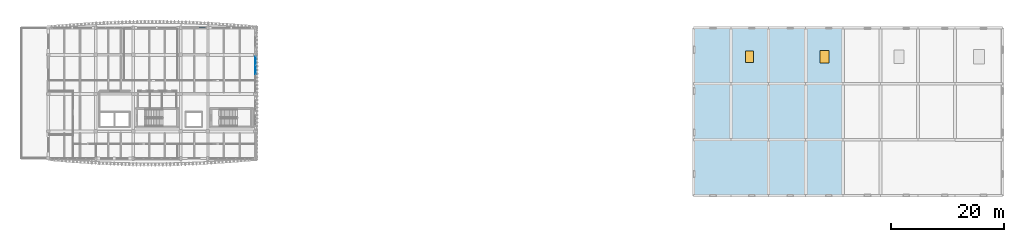
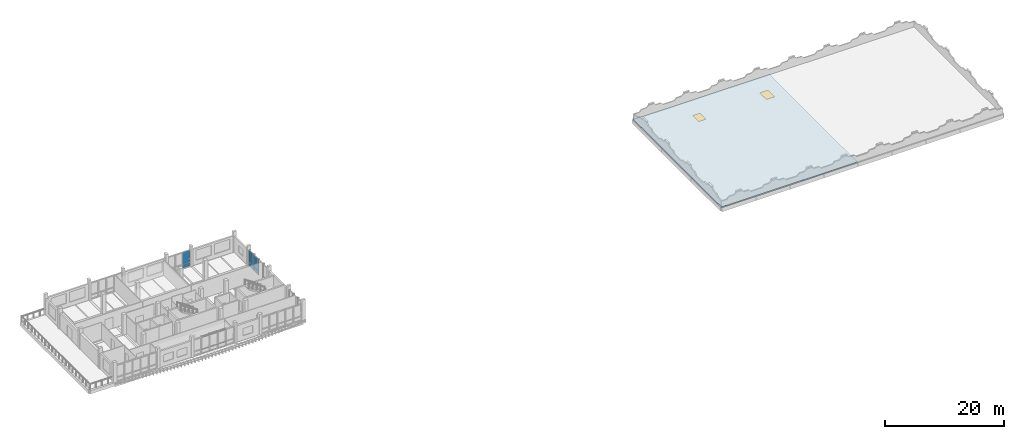
# One storey, part 8 of 20: 6 plates, 2 windows, 1 slab, 2 openings, 2 elements without a shape of their own.
"""IFC4 building model written with IfcOpenShell, lengths in metres."""

from ifc_helpers import new_model, si_unit, direction, frame, origin, origin_2d, place, context, subcontext, project, spatial, polyline, rectangle, outline, extrude, material, layer, layer_set, type_object, element, fill, aggregate, save


model = new_model("IFC4")

# Units and contexts
model_context = context("Model", 3, precision=1e-05, world=origin(), true_north=direction((0.0, 1.0)))
body_context = subcontext(model_context, "Body", "Model", "MODEL_VIEW")
ifc_project = project(units=[si_unit("LENGTHUNIT", "METRE"), si_unit("AREAUNIT", "SQUARE_METRE"), si_unit("VOLUMEUNIT", "CUBIC_METRE"), si_unit("PLANEANGLEUNIT", "RADIAN"), si_unit("MASSUNIT", "GRAM", prefix="KILO")], contexts=[model_context])

# Site, building, storey
site_placement = place(None, origin())
site = spatial("IfcSite", under=ifc_project, at=site_placement, CompositionType="ELEMENT")
building_placement = place(site_placement, origin())
building = spatial("IfcBuilding", under=site, at=building_placement, Name="Dornvale Research Institute", CompositionType="ELEMENT")
storey_placement = place(building_placement, frame((0.0, 0.0, 34.199951171875)))
storey = spatial("IfcBuildingStorey", under=building, at=storey_placement, Name="L07", CompositionType="ELEMENT", Elevation=34.199951171875)

# Curtain wall, plate
ifc_material_1 = material(Name="Low-E Argon Double Insulating Glazing Unit", Category="glass")
curtain_wall_type_1 = type_object("IfcCurtainWallType", Name="UnitisedCurtainWall_V5_4350x3350", PredefinedType="USERDEFINED", material=ifc_material_1)
curtain_wall_1_placement = place(storey_placement, origin())
curtain_wall_1 = element("IfcCurtainWall", 1, at=curtain_wall_1_placement, inside=storey, type_object=curtain_wall_type_1, Name="L07 V5 unitised curtain wall CW-35 #182", ObjectType="UNITISED CURTAIN WALL", PredefinedType="USERDEFINED")
ifc_material_2 = material(Name="Insulated Ceramic-Frit Spandrel Glass Panel", Category="glass")
ifc_layer_1 = layer(ifc_material_2, 0.0419921875)
ifc_layer_set_1 = layer_set([ifc_layer_1], Name="Insulated Ceramic-Frit Spandrel Glass Panel")
plate_type_1 = type_object("IfcPlateType", Name="CurtainPanel_Spandrel_42", PredefinedType="CURTAIN_PANEL", material=ifc_layer_set_1)
plate_1_placement = place(storey_placement, frame((32.03369140625, 122.10009765625, 0.065185546875), z_axis=(0.0, 0.0, 1.0), x_axis=(1.0, 0.0, 0.0)))
plate_1 = element("IfcPlate", 2, at=plate_1_placement, type_object=plate_type_1, Name="CW-35 panel 3.1", PredefinedType="CURTAIN_PANEL", context=body_context, shape_type="SweptSolid", body=[
    extrude(rectangle(XDim=1.3525390625, YDim=0.0419921875, at=origin_2d()), origin(), (0.0, 0.0, 1.0), 0.75244140625),
])

# Curtain wall, plates
ifc_material_3 = material(Name="Low-E Argon Double Insulating Glazing Unit", Category="glass")
curtain_wall_type_2 = type_object("IfcCurtainWallType", Name="UnitisedCurtainWall_V5_6450x3350", PredefinedType="USERDEFINED", material=ifc_material_3)
curtain_wall_2_placement = place(storey_placement, origin())
curtain_wall_2 = element("IfcCurtainWall", 3, at=curtain_wall_2_placement, inside=storey, type_object=curtain_wall_type_2, Name="L07 V5 unitised curtain wall CW-36 #183", ObjectType="UNITISED CURTAIN WALL", PredefinedType="USERDEFINED")
plate_2_placement = place(storey_placement, frame((41.39990234375, 116.25244140625, 0.065185546875), z_axis=(0.0, 0.0, 1.0), x_axis=(0.0, -1.0, 0.0)))
plate_2 = element("IfcPlate", 4, at=plate_2_placement, type_object=plate_type_1, Name="CW-36 panel 1.1", PredefinedType="CURTAIN_PANEL", context=body_context, shape_type="SweptSolid", body=[
    extrude(rectangle(XDim=1.514892578125, YDim=0.0419921875, at=origin_2d()), origin(), (0.0, 0.0, 1.0), 0.75244140625),
])
plate_3_placement = place(storey_placement, frame((41.39990234375, 114.65625, 0.065185546875), z_axis=(0.0, 0.0, 1.0), x_axis=(0.0, -1.0, 0.0)))
plate_3 = element("IfcPlate", 5, at=plate_3_placement, type_object=plate_type_1, Name="CW-36 panel 2.1", PredefinedType="CURTAIN_PANEL", context=body_context, shape_type="SweptSolid", body=[
    extrude(rectangle(XDim=1.547607421875, YDim=0.0419921875, at=origin_2d()), origin(), (0.0, 0.0, 1.0), 0.75244140625),
])

# Plate
ifc_material_4 = material(Name="Low-E Argon Double Insulating Glazing Unit", Category="glass")
ifc_layer_2 = layer(ifc_material_4, 0.028076171875)
ifc_layer_set_2 = layer_set([ifc_layer_2], Name="Low-E Argon Double Insulating Glazing Unit")
plate_type_2 = type_object("IfcPlateType", Name="CurtainPanel_Vision_28", PredefinedType="CURTAIN_PANEL", material=ifc_layer_set_2)
plate_4_placement = place(storey_placement, frame((32.03369140625, 122.10009765625, 0.88232421875), z_axis=(0.0, 0.0, 1.0), x_axis=(1.0, 0.0, 0.0)))
plate_4 = element("IfcPlate", 6, at=plate_4_placement, type_object=plate_type_2, Name="CW-35 panel 3.2", PredefinedType="CURTAIN_PANEL", context=body_context, shape_type="SweptSolid", body=[
    extrude(rectangle(XDim=1.3525390625, YDim=0.028076171875, at=origin_2d()), origin(), (0.0, 0.0, 1.0), 2.402587890625),
])

aggregate(curtain_wall_1, [plate_1, plate_4])

plate_5_placement = place(storey_placement, frame((41.39990234375, 116.25244140625, 0.88232421875), z_axis=(0.0, 0.0, 1.0), x_axis=(0.0, -1.0, 0.0)))
plate_5 = element("IfcPlate", 7, at=plate_5_placement, type_object=plate_type_2, Name="CW-36 panel 1.2", PredefinedType="CURTAIN_PANEL", context=body_context, shape_type="SweptSolid", body=[
    extrude(rectangle(XDim=1.514892578125, YDim=0.028076171875, at=origin_2d()), origin(), (0.0, 0.0, 1.0), 2.402587890625),
])

plate_6_placement = place(storey_placement, frame((41.39990234375, 114.65625, 0.88232421875), z_axis=(0.0, 0.0, 1.0), x_axis=(0.0, -1.0, 0.0)))
plate_6 = element("IfcPlate", 8, at=plate_6_placement, type_object=plate_type_2, Name="CW-36 panel 2.2", PredefinedType="CURTAIN_PANEL", context=body_context, shape_type="SweptSolid", body=[
    extrude(rectangle(XDim=1.547607421875, YDim=0.028076171875, at=origin_2d()), origin(), (0.0, 0.0, 1.0), 2.402587890625),
])

aggregate(curtain_wall_2, [plate_2, plate_5, plate_3, plate_6])

# Slab, openings, windows
ifc_material_5 = material(Name="Concrete f'c 45 MPa (C35/45)", Category="concrete")
ifc_layer_3 = layer(ifc_material_5, 0.260009765625)
ifc_layer_set_3 = layer_set([ifc_layer_3], Name="Concrete f'c 45 MPa (C35/45)")
slab_type = type_object("IfcSlabType", Name="RoofSlab_Flat_260", PredefinedType="ROOF", material=ifc_layer_set_3)
slab_placement = place(storey_placement, frame((0.0, 0.0, -0.260009765625)))
slab = element("IfcSlab", 9, at=slab_placement, inside=storey, type_object=slab_type, Name="L07 V4 structural roof slab ROOF-V4-L07-W", PredefinedType="ROOF", context=body_context, shape_type="SweptSolid", body=[
    extrude(outline(polyline([(118.800048828125, 92.39990234375), (145.199951171875, 92.39990234375), (145.199951171875, 122.10009765625), (118.800048828125, 122.10009765625), (118.800048828125, 92.39990234375)])), origin(), (0.0, 0.0, 1.0), 0.260009765625),
])
opening_1_placement = place(slab_placement, frame((128.699951171875, 117.0, 0.0)))
opening_1 = element("IfcOpeningElement", 10, at=opening_1_placement, cuts=slab, Name="Opening SK-01", PredefinedType="OPENING", context=body_context, shape_type="SweptSolid", body=[
    extrude(rectangle(XDim=1.39990234375, YDim=2.0, at=origin_2d()), origin(), (0.0, 0.0, 1.0), 0.260009765625),
])
opening_2_placement = place(slab_placement, frame((141.89990234375, 117.0, 0.0)))
opening_2 = element("IfcOpeningElement", 11, at=opening_2_placement, cuts=slab, Name="Opening SK-02", PredefinedType="OPENING", context=body_context, shape_type="SweptSolid", body=[
    extrude(rectangle(XDim=1.60009765625, YDim=2.199951171875, at=origin_2d()), origin(), (0.0, 0.0, 1.0), 0.260009765625),
])
ifc_material_6 = material(Name="Low-E Argon Double Insulating Glazing Unit", Category="glass")
window_type_1 = type_object("IfcWindowType", Name="Skylight_Alu_1400x2000", PartitioningType="SINGLE_PANEL", PredefinedType="SKYLIGHT", material=ifc_material_6)
window_1_placement = place(opening_1_placement, frame((0.0, 0.0, 0.2099609375)))
window_1 = element("IfcWindow", 12, at=window_1_placement, inside=storey, type_object=window_type_1, Name="L07 daylight skylight SK-01 #7", OverallHeight=2.0, OverallWidth=1.39990234375, PartitioningType="SINGLE_PANEL", PredefinedType="SKYLIGHT", context=body_context, shape_type="SweptSolid", body=[
    extrude(rectangle(XDim=1.39990234375, YDim=2.0, at=origin_2d()), origin(), (0.0, 0.0, 1.0), 0.050048828125),
])
fill(opening_1, window_1)
ifc_material_7 = material(Name="Low-E Argon Double Insulating Glazing Unit", Category="glass")
window_type_2 = type_object("IfcWindowType", Name="Skylight_Alu_1600x2200", PartitioningType="SINGLE_PANEL", PredefinedType="SKYLIGHT", material=ifc_material_7)
window_2_placement = place(opening_2_placement, frame((0.0, 0.0, 0.2099609375)))
window_2 = element("IfcWindow", 13, at=window_2_placement, inside=storey, type_object=window_type_2, Name="L07 daylight skylight SK-02 #8", OverallHeight=2.199951171875, OverallWidth=1.60009765625, PartitioningType="SINGLE_PANEL", PredefinedType="SKYLIGHT", context=body_context, shape_type="SweptSolid", body=[
    extrude(rectangle(XDim=1.60009765625, YDim=2.199951171875, at=origin_2d()), origin(), (0.0, 0.0, 1.0), 0.050048828125),
])
fill(opening_2, window_2)

save(model, "model.ifc")
